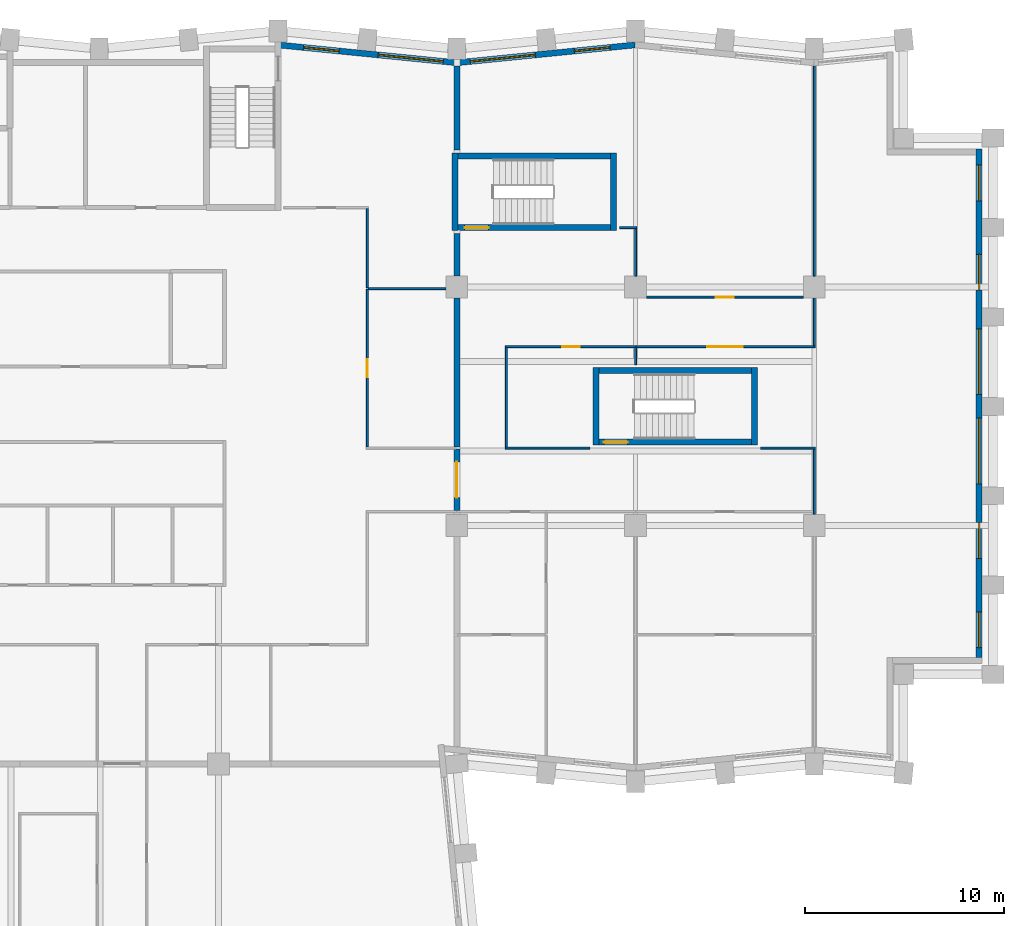
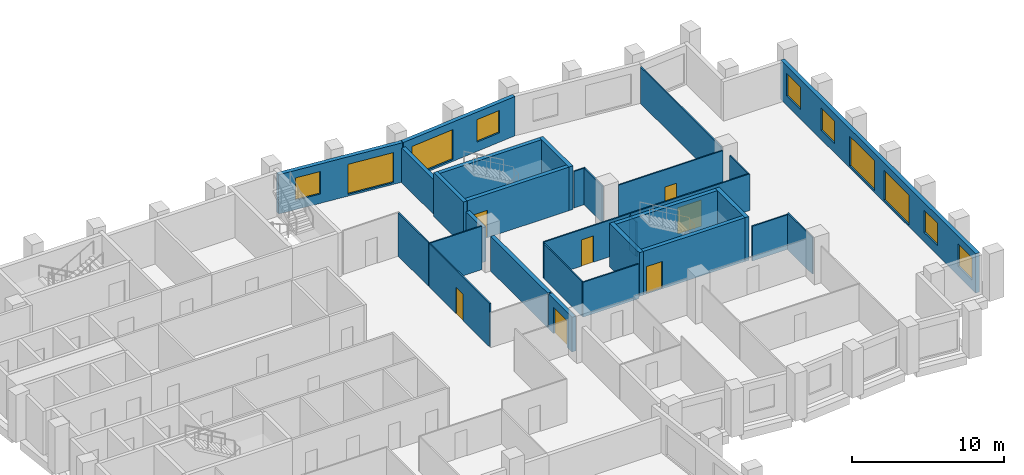
# One storey, part 7 of 10: 30 walls, 10 windows, 7 doors, 17 openings.
"""IFC4 building model written with IfcOpenShell, lengths in metres."""

from ifc_helpers import new_model, si_unit, direction, frame, frame_2d, origin, place, context, subcontext, project, spatial, rectangle, extrude, material, layer, layer_set, type_object, element, fill, save


model = new_model("IFC4")

# Units and contexts
model_context = context("Model", 3, precision=1e-05, world=origin(), true_north=direction((0.0, 1.0)))
body_context = subcontext(model_context, "Body", "Model", "MODEL_VIEW")
ifc_project = project(units=[si_unit("LENGTHUNIT", "METRE"), si_unit("AREAUNIT", "SQUARE_METRE"), si_unit("VOLUMEUNIT", "CUBIC_METRE"), si_unit("PLANEANGLEUNIT", "RADIAN"), si_unit("MASSUNIT", "GRAM", prefix="KILO")], contexts=[model_context])

# Site, building, storey
site_placement = place(None, origin())
site = spatial("IfcSite", under=ifc_project, at=site_placement, CompositionType="ELEMENT")
building_placement = place(site_placement, origin())
building = spatial("IfcBuilding", under=site, at=building_placement, Name="Brondeck Convention Tower", CompositionType="ELEMENT")
storey_placement = place(building_placement, frame((0.0, 0.0, 166.199951171875)))
storey = spatial("IfcBuildingStorey", under=building, at=storey_placement, Name="L40", CompositionType="ELEMENT", Elevation=166.199951171875)

# Wall, opening, door
ifc_material_1 = material(Name="Concrete compartment wall C30/37", Category="concrete")
ifc_layer_1 = layer(ifc_material_1, 0.300048828125)
ifc_layer_set_1 = layer_set([ifc_layer_1], Name="Compartment wall 300")
wall_type_1 = type_object("IfcWallType", Name="Compartment wall 300", PredefinedType="PARTITIONING", material=ifc_layer_set_1)
wall_1_placement = place(storey_placement, frame((36.0, 42.85009765625, 0.0), z_axis=(0.0, 0.0, 1.0), x_axis=(0.0, -1.0, 0.0)))
wall_1 = element("IfcWall", 1, at=wall_1_placement, inside=storey, type_object=wall_type_1, Name="FLR-L40-W052", PredefinedType="PARTITIONING", context=body_context, shape_type="SweptSolid", body=[
    extrude(rectangle(XDim=3.10009765625, YDim=0.300048828125, at=frame_2d((1.550048828125, 0.0))), origin(), (0.0, 0.0, 1.0), 2.780029296875),
])
opening_1_placement = place(wall_1_placement, frame((0.64990234375, 0.0, 0.0)))
opening_1 = element("IfcOpeningElement", 2, at=opening_1_placement, cuts=wall_1, Name="Opening OF-H-021", PredefinedType="OPENING", context=body_context, shape_type="SweptSolid", body=[
    extrude(rectangle(XDim=1.800048828125, YDim=2.10009765625, at=frame_2d((0.89990234375, 1.050048828125))), frame((0.0, 0.159912109375, 0.0), z_axis=(0.0, -1.0, 0.0), x_axis=(1.0, 0.0, 0.0)), (0.0, 0.0, 1.0), 0.320068359375),
])
ifc_material_2 = material(Name="Steel fire door pair", Category="steel")
door_type_1 = type_object("IfcDoorType", Name="Fire door pair 1800", OperationType="DOUBLE_DOOR_SINGLE_SWING", PredefinedType="DOOR", material=ifc_material_2)
door_1_placement = place(opening_1_placement, origin())
door_1 = element("IfcDoor", 3, at=door_1_placement, inside=storey, type_object=door_type_1, Name="Door OF-H-021", OperationType="DOUBLE_DOOR_SINGLE_SWING", OverallHeight=2.10009765625, OverallWidth=1.800048828125, PredefinedType="DOOR", context=body_context, shape_type="SweptSolid", body=[
    extrude(rectangle(XDim=1.800048828125, YDim=2.10009765625, at=frame_2d((0.89990234375, 1.050048828125))), frame((0.0, 0.02490234375, 0.0), z_axis=(0.0, -1.0, 0.0), x_axis=(1.0, 0.0, 0.0)), (0.0, 0.0, 1.0), 0.050048828125),
])
fill(opening_1, door_1)

# Walls
wall_2_placement = place(storey_placement, frame((36.0, 42.949951171875, 0.0), z_axis=(0.0, 0.0, 1.0), x_axis=(0.0, 1.0, 0.0)))
element("IfcWall", 4, at=wall_2_placement, inside=storey, type_object=wall_type_1, Name="FLR-L40-W057", PredefinedType="PARTITIONING", context=body_context, shape_type="SweptSolid", body=[
    extrude(rectangle(XDim=7.4951171875, YDim=0.300048828125, at=frame_2d((3.74755859375, 0.0))), origin(), (0.0, 0.0, 1.0), 2.780029296875),
])
wall_3_placement = place(storey_placement, frame((36.0, 51.554931640625, 0.0), z_axis=(0.0, 0.0, 1.0), x_axis=(0.0, 1.0, 0.0)))
element("IfcWall", 5, at=wall_3_placement, inside=storey, type_object=wall_type_1, Name="FLR-L40-W066", PredefinedType="PARTITIONING", context=body_context, shape_type="SweptSolid", body=[
    extrude(rectangle(XDim=2.14501953125, YDim=0.300048828125, at=frame_2d((1.072509765625, 0.0))), origin(), (0.0, 0.0, 1.0), 2.780029296875),
])
wall_4_placement = place(storey_placement, frame((36.0, 57.89990234375, 0.0), z_axis=(0.0, 0.0, 1.0), x_axis=(0.0, 1.0, 0.0)))
element("IfcWall", 6, at=wall_4_placement, inside=storey, type_object=wall_type_1, Name="FLR-L40-W072", PredefinedType="PARTITIONING", context=body_context, shape_type="SweptSolid", body=[
    extrude(rectangle(XDim=4.22607421875, YDim=0.300048828125, at=frame_2d((2.113037109375, 0.0))), origin(), (0.0, 0.0, 1.0), 2.780029296875),
])

# Wall, openings, windows
ifc_material_3 = material(Name="Precast concrete C50/60 bronze finish", Category="concrete")
ifc_layer_2 = layer(ifc_material_3, 0.070068359375, Name="Bronze precast facing")
ifc_material_4 = material(Name="Mineral wool")
ifc_layer_3 = layer(ifc_material_4, 0.159912109375, Name="Insulation")
ifc_material_5 = material(Name="Concrete C35/45", Category="concrete")
ifc_layer_4 = layer(ifc_material_5, 0.070068359375, Name="Backing")
ifc_layer_set_2 = layer_set([ifc_layer_2, ifc_layer_3, ifc_layer_4], Name="External infill wall, precast concrete C50/60 bronze facing")
wall_type_2 = type_object("IfcWallType", Name="External infill wall, precast concrete C50/60 bronze facing", PredefinedType="SOLIDWALL", material=ifc_layer_set_2)
wall_5_placement = place(storey_placement, frame((62.300048828125, 57.949951171875, 0.0), z_axis=(0.0, 0.0, 1.0), x_axis=(0.0, -1.0, 0.0)))
wall_5 = element("IfcWall", 7, at=wall_5_placement, inside=storey, type_object=wall_type_2, Name="ENV-EW-L40-P1-A-E63-01", PredefinedType="SOLIDWALL", context=body_context, shape_type="SweptSolid", body=[
    extrude(rectangle(XDim=25.60205078125, YDim=0.300048828125, at=frame_2d((12.801025390625, 0.0))), origin(), (0.0, 0.0, 1.0), 3.150146484375),
])
opening_2_placement = place(wall_5_placement, frame((0.800048828125, 0.0, 0.75)))
opening_2 = element("IfcOpeningElement", 8, at=opening_2_placement, cuts=wall_5, Name="Opening W10", PredefinedType="OPENING", context=body_context, shape_type="SweptSolid", body=[
    extrude(rectangle(XDim=1.800048828125, YDim=1.800048828125, at=frame_2d((0.89990234375, 0.89990234375))), frame((0.0, 0.159912109375, 0.0), z_axis=(0.0, -1.0, 0.0), x_axis=(1.0, 0.0, 0.0)), (0.0, 0.0, 1.0), 0.320068359375),
])
opening_3_placement = place(wall_5_placement, frame((5.300048828125, 0.0, 0.75)))
opening_3 = element("IfcOpeningElement", 9, at=opening_3_placement, cuts=wall_5, Name="Opening W10", PredefinedType="OPENING", context=body_context, shape_type="SweptSolid", body=[
    extrude(rectangle(XDim=1.800048828125, YDim=1.800048828125, at=frame_2d((0.89990234375, 0.89990234375))), frame((0.0, 0.159912109375, 0.0), z_axis=(0.0, -1.0, 0.0), x_axis=(1.0, 0.0, 0.0)), (0.0, 0.0, 1.0), 0.320068359375),
])
opening_4_placement = place(wall_5_placement, frame((9.050048828125, 0.0, 0.14990234375)))
opening_4 = element("IfcOpeningElement", 10, at=opening_4_placement, cuts=wall_5, Name="Opening W9", PredefinedType="OPENING", context=body_context, shape_type="SweptSolid", body=[
    extrude(rectangle(XDim=3.300048828125, YDim=2.39990234375, at=frame_2d((1.64990234375, 1.199951171875))), frame((0.0, 0.159912109375, 0.0), z_axis=(0.0, -1.0, 0.0), x_axis=(1.0, 0.0, 0.0)), (0.0, 0.0, 1.0), 0.320068359375),
])
opening_5_placement = place(wall_5_placement, frame((13.550048828125, 0.0, 0.14990234375)))
opening_5 = element("IfcOpeningElement", 11, at=opening_5_placement, cuts=wall_5, Name="Opening W9", PredefinedType="OPENING", context=body_context, shape_type="SweptSolid", body=[
    extrude(rectangle(XDim=3.300048828125, YDim=2.39990234375, at=frame_2d((1.64990234375, 1.199951171875))), frame((0.0, 0.159912109375, 0.0), z_axis=(0.0, -1.0, 0.0), x_axis=(1.0, 0.0, 0.0)), (0.0, 0.0, 1.0), 0.320068359375),
])
opening_6_placement = place(wall_5_placement, frame((18.800048828125, 0.0, 0.75)))
opening_6 = element("IfcOpeningElement", 12, at=opening_6_placement, cuts=wall_5, Name="Opening W10", PredefinedType="OPENING", context=body_context, shape_type="SweptSolid", body=[
    extrude(rectangle(XDim=1.800048828125, YDim=1.800048828125, at=frame_2d((0.89990234375, 0.89990234375))), frame((0.0, 0.159912109375, 0.0), z_axis=(0.0, -1.0, 0.0), x_axis=(1.0, 0.0, 0.0)), (0.0, 0.0, 1.0), 0.320068359375),
])
opening_7_placement = place(wall_5_placement, frame((23.300048828125, 0.0, 0.75)))
opening_7 = element("IfcOpeningElement", 13, at=opening_7_placement, cuts=wall_5, Name="Opening W10", PredefinedType="OPENING", context=body_context, shape_type="SweptSolid", body=[
    extrude(rectangle(XDim=1.800048828125, YDim=1.800048828125, at=frame_2d((0.89990234375, 0.89990234375))), frame((0.0, 0.159912109375, 0.0), z_axis=(0.0, -1.0, 0.0), x_axis=(1.0, 0.0, 0.0)), (0.0, 0.0, 1.0), 0.320068359375),
])
ifc_material_6 = material(Name="Bronze tinted double glazing", Category="glass")
window_type_1 = type_object("IfcWindowType", Name="Glazed flute window, bronze tinted", PartitioningType="SINGLE_PANEL", PredefinedType="WINDOW", material=ifc_material_6)
window_1_placement = place(opening_4_placement, origin())
window_1 = element("IfcWindow", 14, at=window_1_placement, inside=storey, type_object=window_type_1, Name="ENV-WN-L40-P1-A-E63-04", OverallHeight=2.39990234375, OverallWidth=3.300048828125, PartitioningType="SINGLE_PANEL", PredefinedType="WINDOW", context=body_context, shape_type="SweptSolid", body=[
    extrude(rectangle(XDim=3.300048828125, YDim=2.39990234375, at=frame_2d((1.64990234375, 1.199951171875))), frame((0.0, 0.030029296875, 0.0), z_axis=(0.0, -1.0, 0.0), x_axis=(1.0, 0.0, 0.0)), (0.0, 0.0, 1.0), 0.06005859375),
])
fill(opening_4, window_1)
window_2_placement = place(opening_5_placement, origin())
window_2 = element("IfcWindow", 15, at=window_2_placement, inside=storey, type_object=window_type_1, Name="ENV-WN-L40-P1-A-E63-03", OverallHeight=2.39990234375, OverallWidth=3.300048828125, PartitioningType="SINGLE_PANEL", PredefinedType="WINDOW", context=body_context, shape_type="SweptSolid", body=[
    extrude(rectangle(XDim=3.300048828125, YDim=2.39990234375, at=frame_2d((1.64990234375, 1.199951171875))), frame((0.0, 0.030029296875, 0.0), z_axis=(0.0, -1.0, 0.0), x_axis=(1.0, 0.0, 0.0)), (0.0, 0.0, 1.0), 0.06005859375),
])
fill(opening_5, window_2)
window_type_2 = type_object("IfcWindowType", Name="Punched window, bronze tinted", PartitioningType="SINGLE_PANEL", PredefinedType="WINDOW", material=ifc_material_6)
window_3_placement = place(opening_2_placement, origin())
window_3 = element("IfcWindow", 16, at=window_3_placement, inside=storey, type_object=window_type_2, Name="ENV-WN-L40-P1-A-E63-06", OverallHeight=1.800048828125, OverallWidth=1.800048828125, PartitioningType="SINGLE_PANEL", PredefinedType="WINDOW", context=body_context, shape_type="SweptSolid", body=[
    extrude(rectangle(XDim=1.800048828125, YDim=1.800048828125, at=frame_2d((0.89990234375, 0.89990234375))), frame((0.0, 0.030029296875, 0.0), z_axis=(0.0, -1.0, 0.0), x_axis=(1.0, 0.0, 0.0)), (0.0, 0.0, 1.0), 0.06005859375),
])
fill(opening_2, window_3)
window_4_placement = place(opening_3_placement, origin())
window_4 = element("IfcWindow", 17, at=window_4_placement, inside=storey, type_object=window_type_2, Name="ENV-WN-L40-P1-A-E63-05", OverallHeight=1.800048828125, OverallWidth=1.800048828125, PartitioningType="SINGLE_PANEL", PredefinedType="WINDOW", context=body_context, shape_type="SweptSolid", body=[
    extrude(rectangle(XDim=1.800048828125, YDim=1.800048828125, at=frame_2d((0.89990234375, 0.89990234375))), frame((0.0, 0.030029296875, 0.0), z_axis=(0.0, -1.0, 0.0), x_axis=(1.0, 0.0, 0.0)), (0.0, 0.0, 1.0), 0.06005859375),
])
fill(opening_3, window_4)
window_5_placement = place(opening_6_placement, origin())
window_5 = element("IfcWindow", 18, at=window_5_placement, inside=storey, type_object=window_type_2, Name="ENV-WN-L40-P1-A-E63-02", OverallHeight=1.800048828125, OverallWidth=1.800048828125, PartitioningType="SINGLE_PANEL", PredefinedType="WINDOW", context=body_context, shape_type="SweptSolid", body=[
    extrude(rectangle(XDim=1.800048828125, YDim=1.800048828125, at=frame_2d((0.89990234375, 0.89990234375))), frame((0.0, 0.030029296875, 0.0), z_axis=(0.0, -1.0, 0.0), x_axis=(1.0, 0.0, 0.0)), (0.0, 0.0, 1.0), 0.06005859375),
])
fill(opening_6, window_5)
window_6_placement = place(opening_7_placement, origin())
window_6 = element("IfcWindow", 19, at=window_6_placement, inside=storey, type_object=window_type_2, Name="ENV-WN-L40-P1-A-E63-01", OverallHeight=1.800048828125, OverallWidth=1.800048828125, PartitioningType="SINGLE_PANEL", PredefinedType="WINDOW", context=body_context, shape_type="SweptSolid", body=[
    extrude(rectangle(XDim=1.800048828125, YDim=1.800048828125, at=frame_2d((0.89990234375, 0.89990234375))), frame((0.0, 0.030029296875, 0.0), z_axis=(0.0, -1.0, 0.0), x_axis=(1.0, 0.0, 0.0)), (0.0, 0.0, 1.0), 0.06005859375),
])
fill(opening_7, window_6)

wall_6_placement = place(storey_placement, frame((35.985107421875, 62.294921875, 0.0), z_axis=(0.0, 0.0, 1.0), x_axis=(0.995035316196, 0.099522457379, 0.0)))
wall_6 = element("IfcWall", 20, at=wall_6_placement, inside=storey, type_object=wall_type_2, Name="ENV-EW-L40-P1-A-N-09", PredefinedType="SOLIDWALL", context=body_context, shape_type="SweptSolid", body=[
    extrude(rectangle(XDim=9.030029296875, YDim=0.300048828125, at=frame_2d((4.51513671875, 0.0))), origin(), (0.0, 0.0, 1.0), 3.150146484375),
])
opening_8_placement = place(wall_6_placement, frame((0.6962890625, 0.0, 0.14990234375)))
opening_8 = element("IfcOpeningElement", 21, at=opening_8_placement, cuts=wall_6, Name="Opening W9", PredefinedType="OPENING", context=body_context, shape_type="SweptSolid", body=[
    extrude(rectangle(XDim=3.300048828125, YDim=2.39990234375, at=frame_2d((1.64990234375, 1.199951171875))), frame((0.0, 0.159912109375, 0.0), z_axis=(0.0, -1.0, 0.0), x_axis=(1.0, 0.0, 0.0)), (0.0, 0.0, 1.0), 0.320068359375),
])
opening_9_placement = place(wall_6_placement, frame((5.968505859375, 0.0, 0.75)))
opening_9 = element("IfcOpeningElement", 22, at=opening_9_placement, cuts=wall_6, Name="Opening W10", PredefinedType="OPENING", context=body_context, shape_type="SweptSolid", body=[
    extrude(rectangle(XDim=1.800048828125, YDim=1.800048828125, at=frame_2d((0.89990234375, 0.89990234375))), frame((0.0, 0.159912109375, 0.0), z_axis=(0.0, -1.0, 0.0), x_axis=(1.0, 0.0, 0.0)), (0.0, 0.0, 1.0), 0.320068359375),
])
window_7_placement = place(opening_8_placement, origin())
window_7 = element("IfcWindow", 23, at=window_7_placement, inside=storey, type_object=window_type_1, Name="ENV-WN-L40-P1-A-N-08", OverallHeight=2.39990234375, OverallWidth=3.300048828125, PartitioningType="SINGLE_PANEL", PredefinedType="WINDOW", context=body_context, shape_type="SweptSolid", body=[
    extrude(rectangle(XDim=3.300048828125, YDim=2.39990234375, at=frame_2d((1.64990234375, 1.199951171875))), frame((0.0, 0.030029296875, 0.0), z_axis=(0.0, -1.0, 0.0), x_axis=(1.0, 0.0, 0.0)), (0.0, 0.0, 1.0), 0.06005859375),
])
fill(opening_8, window_7)
window_8_placement = place(opening_9_placement, origin())
window_8 = element("IfcWindow", 24, at=window_8_placement, inside=storey, type_object=window_type_2, Name="ENV-WN-L40-P1-A-N-09", OverallHeight=1.800048828125, OverallWidth=1.800048828125, PartitioningType="SINGLE_PANEL", PredefinedType="WINDOW", context=body_context, shape_type="SweptSolid", body=[
    extrude(rectangle(XDim=1.800048828125, YDim=1.800048828125, at=frame_2d((0.89990234375, 0.89990234375))), frame((0.0, 0.030029296875, 0.0), z_axis=(0.0, -1.0, 0.0), x_axis=(1.0, 0.0, 0.0)), (0.0, 0.0, 1.0), 0.06005859375),
])
fill(opening_9, window_8)

wall_7_placement = place(storey_placement, frame((27.07958984375, 63.188720703125, 0.0), z_axis=(0.0, 0.0, 1.0), x_axis=(0.995036108007, -0.099514540459, 0.0)))
wall_7 = element("IfcWall", 25, at=wall_7_placement, inside=storey, type_object=wall_type_2, Name="ENV-EW-L40-P1-A-N-07", PredefinedType="SOLIDWALL", context=body_context, shape_type="SweptSolid", body=[
    extrude(rectangle(XDim=8.93505859375, YDim=0.300048828125, at=frame_2d((4.467529296875, 0.0))), origin(), (0.0, 0.0, 1.0), 3.150146484375),
])
opening_10_placement = place(wall_7_placement, frame((1.211181640625, 0.0, 0.75)))
opening_10 = element("IfcOpeningElement", 26, at=opening_10_placement, cuts=wall_7, Name="Opening W10", PredefinedType="OPENING", context=body_context, shape_type="SweptSolid", body=[
    extrude(rectangle(XDim=1.800048828125, YDim=1.800048828125, at=frame_2d((0.89990234375, 0.89990234375))), frame((0.0, 0.159912109375, 0.0), z_axis=(0.0, -1.0, 0.0), x_axis=(1.0, 0.0, 0.0)), (0.0, 0.0, 1.0), 0.320068359375),
])
opening_11_placement = place(wall_7_placement, frame((4.983642578125, 0.0, 0.14990234375)))
opening_11 = element("IfcOpeningElement", 27, at=opening_11_placement, cuts=wall_7, Name="Opening W9", PredefinedType="OPENING", context=body_context, shape_type="SweptSolid", body=[
    extrude(rectangle(XDim=3.300048828125, YDim=2.39990234375, at=frame_2d((1.64990234375, 1.199951171875))), frame((0.0, 0.159912109375, 0.0), z_axis=(0.0, -1.0, 0.0), x_axis=(1.0, 0.0, 0.0)), (0.0, 0.0, 1.0), 0.320068359375),
])
window_9_placement = place(opening_11_placement, origin())
window_9 = element("IfcWindow", 28, at=window_9_placement, inside=storey, type_object=window_type_1, Name="ENV-WN-L40-P1-A-N-07", OverallHeight=2.39990234375, OverallWidth=3.300048828125, PartitioningType="SINGLE_PANEL", PredefinedType="WINDOW", context=body_context, shape_type="SweptSolid", body=[
    extrude(rectangle(XDim=3.300048828125, YDim=2.39990234375, at=frame_2d((1.64990234375, 1.199951171875))), frame((0.0, 0.030029296875, 0.0), z_axis=(0.0, -1.0, 0.0), x_axis=(1.0, 0.0, 0.0)), (0.0, 0.0, 1.0), 0.06005859375),
])
fill(opening_11, window_9)
window_10_placement = place(opening_10_placement, origin())
window_10 = element("IfcWindow", 29, at=window_10_placement, inside=storey, type_object=window_type_2, Name="ENV-WN-L40-P1-A-N-06", OverallHeight=1.800048828125, OverallWidth=1.800048828125, PartitioningType="SINGLE_PANEL", PredefinedType="WINDOW", context=body_context, shape_type="SweptSolid", body=[
    extrude(rectangle(XDim=1.800048828125, YDim=1.800048828125, at=frame_2d((0.89990234375, 0.89990234375))), frame((0.0, 0.030029296875, 0.0), z_axis=(0.0, -1.0, 0.0), x_axis=(1.0, 0.0, 0.0)), (0.0, 0.0, 1.0), 0.06005859375),
])
fill(opening_10, window_10)

# Walls
ifc_material_7 = material(Name="Gypsum board partition on steel studs", Category="steel")
ifc_layer_5 = layer(ifc_material_7, 0.10009765625)
ifc_layer_set_3 = layer_set([ifc_layer_5], Name="Room partition 100")
wall_type_3 = type_object("IfcWallType", Name="Room partition 100", PredefinedType="PARTITIONING", material=ifc_layer_set_3)
wall_8_placement = place(storey_placement, frame((54.0, 42.85009765625, 0.0), z_axis=(0.0, 0.0, 1.0), x_axis=(0.0, -1.0, 0.0)))
element("IfcWall", 30, at=wall_8_placement, inside=storey, type_object=wall_type_3, Name="FLR-L40-W053", PredefinedType="PARTITIONING", context=body_context, shape_type="SweptSolid", body=[
    extrude(rectangle(XDim=3.280029296875, YDim=0.10009765625, at=frame_2d((1.64013671875, 0.0))), origin(), (0.0, 0.0, 1.0), 2.929931640625),
])
wall_9_placement = place(storey_placement, frame((38.449951171875, 42.89990234375, 0.0), z_axis=(0.0, 0.0, 1.0), x_axis=(1.0, 0.0, 0.0)))
element("IfcWall", 31, at=wall_9_placement, inside=storey, type_object=wall_type_3, Name="FLR-L40-W055", PredefinedType="PARTITIONING", context=body_context, shape_type="SweptSolid", body=[
    extrude(rectangle(XDim=4.25, YDim=0.10009765625, at=frame_2d((2.125, 0.0))), origin(), (0.0, 0.0, 1.0), 2.780029296875),
])
wall_10_placement = place(storey_placement, frame((51.300048828125, 42.89990234375, 0.0), z_axis=(0.0, 0.0, 1.0), x_axis=(1.0, 0.0, 0.0)))
element("IfcWall", 32, at=wall_10_placement, inside=storey, type_object=wall_type_3, Name="FLR-L40-W056", PredefinedType="PARTITIONING", context=body_context, shape_type="SweptSolid", body=[
    extrude(rectangle(XDim=2.75, YDim=0.10009765625, at=frame_2d((1.375, 0.0))), origin(), (0.0, 0.0, 1.0), 2.780029296875),
])
wall_11_placement = place(storey_placement, frame((38.5, 47.949951171875, 0.0), z_axis=(0.0, 0.0, 1.0), x_axis=(0.0, -1.0, 0.0)))
element("IfcWall", 33, at=wall_11_placement, inside=storey, type_object=wall_type_3, Name="FLR-L40-W058", PredefinedType="PARTITIONING", context=body_context, shape_type="SweptSolid", body=[
    extrude(rectangle(XDim=5.0, YDim=0.10009765625, at=frame_2d((2.5, 0.0))), origin(), (0.0, 0.0, 1.0), 2.780029296875),
])
wall_12_placement = place(storey_placement, frame((45.0, 47.949951171875, 0.0), z_axis=(0.0, 0.0, 1.0), x_axis=(0.0, -1.0, 0.0)))
element("IfcWall", 34, at=wall_12_placement, inside=storey, type_object=wall_type_3, Name="FLR-L40-W059", PredefinedType="PARTITIONING", context=body_context, shape_type="SweptSolid", body=[
    extrude(rectangle(XDim=0.849853515625, YDim=0.10009765625, at=frame_2d((0.4248046875, 0.0))), origin(), (0.0, 0.0, 1.0), 2.780029296875),
])

# Wall, opening, door
wall_13_placement = place(storey_placement, frame((45.0, 48.0, 0.0), z_axis=(0.0, 0.0, 1.0), x_axis=(-1.0, 0.0, 0.0)))
wall_13 = element("IfcWall", 35, at=wall_13_placement, inside=storey, type_object=wall_type_3, Name="FLR-L40-W060", PredefinedType="PARTITIONING", context=body_context, shape_type="SweptSolid", body=[
    extrude(rectangle(XDim=6.550048828125, YDim=0.10009765625, at=frame_2d((3.27490234375, 0.0))), origin(), (0.0, 0.0, 1.0), 2.929931640625),
])
opening_12_placement = place(wall_13_placement, frame((2.800048828125, 0.0, 0.0)))
opening_12 = element("IfcOpeningElement", 36, at=opening_12_placement, cuts=wall_13, Name="Opening OF-H-002", PredefinedType="OPENING", context=body_context, shape_type="SweptSolid", body=[
    extrude(rectangle(XDim=0.89990234375, YDim=2.10009765625, at=frame_2d((0.449951171875, 1.050048828125))), frame((0.0, 0.06005859375, 0.0), z_axis=(0.0, -1.0, 0.0), x_axis=(1.0, 0.0, 0.0)), (0.0, 0.0, 1.0), 0.1201171875),
])
ifc_material_8 = material(Name="Solid timber door leaf", Category="wood")
door_type_2 = type_object("IfcDoorType", Name="Single door 900", OperationType="NOTDEFINED", PredefinedType="DOOR", material=ifc_material_8)
door_2_placement = place(opening_12_placement, origin())
door_2 = element("IfcDoor", 37, at=door_2_placement, inside=storey, type_object=door_type_2, Name="Door OF-H-002", OperationType="SINGLE_SWING_RIGHT", OverallHeight=2.10009765625, OverallWidth=0.89990234375, PredefinedType="DOOR", context=body_context, shape_type="SweptSolid", body=[
    extrude(rectangle(XDim=0.89990234375, YDim=2.10009765625, at=frame_2d((0.449951171875, 1.050048828125))), frame((0.0, 0.02490234375, 0.0), z_axis=(0.0, -1.0, 0.0), x_axis=(1.0, 0.0, 0.0)), (0.0, 0.0, 1.0), 0.050048828125),
])
fill(opening_12, door_2)

wall_14_placement = place(storey_placement, frame((54.050048828125, 48.0, 0.0), z_axis=(0.0, 0.0, 1.0), x_axis=(-1.0, 0.0, 0.0)))
wall_14 = element("IfcWall", 38, at=wall_14_placement, inside=storey, type_object=wall_type_3, Name="FLR-L40-W061", PredefinedType="PARTITIONING", context=body_context, shape_type="SweptSolid", body=[
    extrude(rectangle(XDim=9.050048828125, YDim=0.10009765625, at=frame_2d((4.52490234375, 0.0))), origin(), (0.0, 0.0, 1.0), 2.929931640625),
])
opening_13_placement = place(wall_14_placement, frame((3.64990234375, 0.0, 0.0)))
opening_13 = element("IfcOpeningElement", 39, at=opening_13_placement, cuts=wall_14, Name="Opening OF-H-005", PredefinedType="OPENING", context=body_context, shape_type="SweptSolid", body=[
    extrude(rectangle(XDim=1.800048828125, YDim=2.10009765625, at=frame_2d((0.89990234375, 1.050048828125))), frame((0.0, 0.06005859375, 0.0), z_axis=(0.0, -1.0, 0.0), x_axis=(1.0, 0.0, 0.0)), (0.0, 0.0, 1.0), 0.1201171875),
])
ifc_material_9 = material(Name="Glazed timber double door", Category="wood")
door_type_3 = type_object("IfcDoorType", Name="Double door 1800", OperationType="DOUBLE_DOOR_SINGLE_SWING", PredefinedType="DOOR", material=ifc_material_9)
door_3_placement = place(opening_13_placement, origin())
door_3 = element("IfcDoor", 40, at=door_3_placement, inside=storey, type_object=door_type_3, Name="Door OF-H-005", OperationType="DOUBLE_DOOR_SINGLE_SWING", OverallHeight=2.10009765625, OverallWidth=1.800048828125, PredefinedType="DOOR", context=body_context, shape_type="SweptSolid", body=[
    extrude(rectangle(XDim=1.800048828125, YDim=2.10009765625, at=frame_2d((0.89990234375, 1.050048828125))), frame((0.0, 0.02490234375, 0.0), z_axis=(0.0, -1.0, 0.0), x_axis=(1.0, 0.0, 0.0)), (0.0, 0.0, 1.0), 0.050048828125),
])
fill(opening_13, door_3)

# Wall
wall_15_placement = place(storey_placement, frame((54.0, 50.445068359375, 0.0), z_axis=(0.0, 0.0, 1.0), x_axis=(0.0, -1.0, 0.0)))
element("IfcWall", 41, at=wall_15_placement, inside=storey, type_object=wall_type_3, Name="FLR-L40-W062", PredefinedType="PARTITIONING", context=body_context, shape_type="SweptSolid", body=[
    extrude(rectangle(XDim=2.39501953125, YDim=0.10009765625, at=frame_2d((1.197509765625, 0.0))), origin(), (0.0, 0.0, 1.0), 2.929931640625),
])

# Wall, opening, door
wall_16_placement = place(storey_placement, frame((45.554931640625, 50.5, 0.0), z_axis=(0.0, 0.0, 1.0), x_axis=(1.0, 0.0, 0.0)))
wall_16 = element("IfcWall", 42, at=wall_16_placement, inside=storey, type_object=wall_type_3, Name="FLR-L40-W063", PredefinedType="PARTITIONING", context=body_context, shape_type="SweptSolid", body=[
    extrude(rectangle(XDim=7.89013671875, YDim=0.10009765625, at=frame_2d((3.945068359375, 0.0))), origin(), (0.0, 0.0, 1.0), 3.47998046875),
])
opening_14_placement = place(wall_16_placement, frame((3.4951171875, 0.0, 0.0)))
opening_14 = element("IfcOpeningElement", 43, at=opening_14_placement, cuts=wall_16, Name="Opening OF-H-011", PredefinedType="OPENING", context=body_context, shape_type="SweptSolid", body=[
    extrude(rectangle(XDim=0.89990234375, YDim=2.10009765625, at=frame_2d((0.449951171875, 1.050048828125))), frame((0.0, 0.06005859375, 0.0), z_axis=(0.0, -1.0, 0.0), x_axis=(1.0, 0.0, 0.0)), (0.0, 0.0, 1.0), 0.1201171875),
])
door_4_placement = place(opening_14_placement, origin())
door_4 = element("IfcDoor", 44, at=door_4_placement, inside=storey, type_object=door_type_2, Name="Door OF-H-011", OperationType="SINGLE_SWING_LEFT", OverallHeight=2.10009765625, OverallWidth=0.89990234375, PredefinedType="DOOR", context=body_context, shape_type="SweptSolid", body=[
    extrude(rectangle(XDim=0.89990234375, YDim=2.10009765625, at=frame_2d((0.449951171875, 1.050048828125))), frame((0.0, 0.02490234375, 0.0), z_axis=(0.0, -1.0, 0.0), x_axis=(1.0, 0.0, 0.0)), (0.0, 0.0, 1.0), 0.050048828125),
])
fill(opening_14, door_4)

wall_17_placement = place(storey_placement, frame((31.5, 50.882080078125, 0.0), z_axis=(0.0, 0.0, 1.0), x_axis=(0.0, -1.0, 0.0)))
wall_17 = element("IfcWall", 45, at=wall_17_placement, inside=storey, type_object=wall_type_3, Name="FLR-L40-W064", PredefinedType="PARTITIONING", context=body_context, shape_type="SweptSolid", body=[
    extrude(rectangle(XDim=7.93212890625, YDim=0.10009765625, at=frame_2d((3.966064453125, 0.0))), origin(), (0.0, 0.0, 1.0), 3.47998046875),
])
opening_15_placement = place(wall_17_placement, frame((3.51611328125, 0.0, 0.0)))
opening_15 = element("IfcOpeningElement", 46, at=opening_15_placement, cuts=wall_17, Name="Opening OF-H-019", PredefinedType="OPENING", context=body_context, shape_type="SweptSolid", body=[
    extrude(rectangle(XDim=0.89990234375, YDim=2.10009765625, at=frame_2d((0.449951171875, 1.050048828125))), frame((0.0, 0.06005859375, 0.0), z_axis=(0.0, -1.0, 0.0), x_axis=(1.0, 0.0, 0.0)), (0.0, 0.0, 1.0), 0.1201171875),
])
door_5_placement = place(opening_15_placement, origin())
door_5 = element("IfcDoor", 47, at=door_5_placement, inside=storey, type_object=door_type_2, Name="Door OF-H-019", OperationType="SINGLE_SWING_LEFT", OverallHeight=2.10009765625, OverallWidth=0.89990234375, PredefinedType="DOOR", context=body_context, shape_type="SweptSolid", body=[
    extrude(rectangle(XDim=0.89990234375, YDim=2.10009765625, at=frame_2d((0.449951171875, 1.050048828125))), frame((0.0, 0.02490234375, 0.0), z_axis=(0.0, -1.0, 0.0), x_axis=(1.0, 0.0, 0.0)), (0.0, 0.0, 1.0), 0.050048828125),
])
fill(opening_15, door_5)

# Walls
wall_18_placement = place(storey_placement, frame((31.550048828125, 50.931884765625, 0.0), z_axis=(0.0, 0.0, 1.0), x_axis=(1.0, 0.0, 0.0)))
element("IfcWall", 48, at=wall_18_placement, inside=storey, type_object=wall_type_3, Name="FLR-L40-W065", PredefinedType="PARTITIONING", context=body_context, shape_type="SweptSolid", body=[
    extrude(rectangle(XDim=3.89501953125, YDim=0.10009765625, at=frame_2d((1.947509765625, 0.0))), origin(), (0.0, 0.0, 1.0), 3.47998046875),
])
wall_19_placement = place(storey_placement, frame((54.0, 51.554931640625, 0.0), z_axis=(0.0, 0.0, 1.0), x_axis=(0.0, 1.0, 0.0)))
element("IfcWall", 49, at=wall_19_placement, inside=storey, type_object=wall_type_3, Name="FLR-L40-W067", PredefinedType="PARTITIONING", context=body_context, shape_type="SweptSolid", body=[
    extrude(rectangle(XDim=10.57080078125, YDim=0.10009765625, at=frame_2d((5.285400390625, 0.0))), origin(), (0.0, 0.0, 1.0), 2.929931640625),
])
wall_20_placement = place(storey_placement, frame((45.0, 53.949951171875, 0.0), z_axis=(0.0, 0.0, 1.0), x_axis=(0.0, -1.0, 0.0)))
element("IfcWall", 50, at=wall_20_placement, inside=storey, type_object=wall_type_3, Name="FLR-L40-W068", PredefinedType="PARTITIONING", context=body_context, shape_type="SweptSolid", body=[
    extrude(rectangle(XDim=2.39501953125, YDim=0.10009765625, at=frame_2d((1.197509765625, 0.0))), origin(), (0.0, 0.0, 1.0), 2.929931640625),
])
wall_21_placement = place(storey_placement, frame((44.199951171875, 54.0, 0.0), z_axis=(0.0, 0.0, 1.0), x_axis=(1.0, 0.0, 0.0)))
element("IfcWall", 51, at=wall_21_placement, inside=storey, type_object=wall_type_3, Name="FLR-L40-W069", PredefinedType="PARTITIONING", context=body_context, shape_type="SweptSolid", body=[
    extrude(rectangle(XDim=0.85009765625, YDim=0.10009765625, at=frame_2d((0.425048828125, 0.0))), origin(), (0.0, 0.0, 1.0), 2.929931640625),
])
wall_22_placement = place(storey_placement, frame((31.5, 54.949951171875, 0.0), z_axis=(0.0, 0.0, 1.0), x_axis=(0.0, -1.0, 0.0)))
element("IfcWall", 52, at=wall_22_placement, inside=storey, type_object=wall_type_3, Name="FLR-L40-W070", PredefinedType="PARTITIONING", context=body_context, shape_type="SweptSolid", body=[
    extrude(rectangle(XDim=3.968017578125, YDim=0.10009765625, at=frame_2d((1.98388671875, 0.0))), origin(), (0.0, 0.0, 1.0), 3.47998046875),
])

# Wall, opening, door
ifc_material_10 = material(Name="Concrete C70/85", Category="concrete")
ifc_layer_6 = layer(ifc_material_10, 0.300048828125)
ifc_layer_set_4 = layer_set([ifc_layer_6], Name="Stair enclosure wall 300 Concrete C70/85")
wall_type_4 = type_object("IfcWallType", Name="Stair enclosure wall 300 Concrete C70/85", PredefinedType="SHEAR", material=ifc_layer_set_4)
wall_23_placement = place(storey_placement, frame((43.14990234375, 43.199951171875, 0.0), z_axis=(0.0, 0.0, 1.0), x_axis=(1.0, 0.0, 0.0)))
wall_23 = element("IfcWall", 53, at=wall_23_placement, inside=storey, type_object=wall_type_4, Name="L40 core wall", PredefinedType="SHEAR", context=body_context, shape_type="SweptSolid", body=[
    extrude(rectangle(XDim=7.7001953125, YDim=0.300048828125, at=frame_2d((3.85009765625, 0.0))), origin(), (0.0, 0.0, 1.0), 3.5),
])
opening_16_placement = place(wall_23_placement, frame((0.25, 0.0, 0.0)))
opening_16 = element("IfcOpeningElement", 54, at=opening_16_placement, cuts=wall_23, Name="Opening C23-18", PredefinedType="OPENING", context=body_context, shape_type="SweptSolid", body=[
    extrude(rectangle(XDim=1.199951171875, YDim=2.199951171875, at=frame_2d((0.60009765625, 1.10009765625))), frame((0.0, 0.159912109375, 0.0), z_axis=(0.0, -1.0, 0.0), x_axis=(1.0, 0.0, 0.0)), (0.0, 0.0, 1.0), 0.320068359375),
])
ifc_material_11 = material(Name="Steel fire door", Category="steel")
door_type_4 = type_object("IfcDoorType", Name="Stair door 1200x2200 EI 90", OperationType="NOTDEFINED", PredefinedType="DOOR", material=ifc_material_11)
door_6_placement = place(opening_16_placement, origin())
door_6 = element("IfcDoor", 55, at=door_6_placement, inside=storey, type_object=door_type_4, Name="L40 Stair door ST-AF", OperationType="SINGLE_SWING_RIGHT", OverallHeight=2.199951171875, OverallWidth=1.199951171875, PredefinedType="DOOR", context=body_context, shape_type="SweptSolid", body=[
    extrude(rectangle(XDim=1.199951171875, YDim=2.199951171875, at=frame_2d((0.60009765625, 1.10009765625))), frame((0.0, 0.02490234375, 0.0), z_axis=(0.0, -1.0, 0.0), x_axis=(1.0, 0.0, 0.0)), (0.0, 0.0, 1.0), 0.050048828125),
])
fill(opening_16, door_6)

# Wall
wall_24_placement = place(storey_placement, frame((43.14990234375, 46.800048828125, 0.0), z_axis=(0.0, 0.0, 1.0), x_axis=(1.0, 0.0, 0.0)))
element("IfcWall", 56, at=wall_24_placement, inside=storey, type_object=wall_type_4, Name="L40 core wall", PredefinedType="SHEAR", context=body_context, shape_type="SweptSolid", body=[
    extrude(rectangle(XDim=7.7001953125, YDim=0.300048828125, at=frame_2d((3.85009765625, 0.0))), origin(), (0.0, 0.0, 1.0), 3.5),
])

# Wall, opening, door
wall_25_placement = place(storey_placement, frame((36.050048828125, 54.0, 0.0), z_axis=(0.0, 0.0, 1.0), x_axis=(1.0, 0.0, 0.0)))
wall_25 = element("IfcWall", 57, at=wall_25_placement, inside=storey, type_object=wall_type_4, Name="L40 core wall", PredefinedType="SHEAR", context=body_context, shape_type="SweptSolid", body=[
    extrude(rectangle(XDim=7.699951171875, YDim=0.300048828125, at=frame_2d((3.85009765625, 0.0))), origin(), (0.0, 0.0, 1.0), 3.5),
])
opening_17_placement = place(wall_25_placement, frame((0.35009765625, 0.0, 0.0)))
opening_17 = element("IfcOpeningElement", 58, at=opening_17_placement, cuts=wall_25, Name="Opening C23-17", PredefinedType="OPENING", context=body_context, shape_type="SweptSolid", body=[
    extrude(rectangle(XDim=1.199951171875, YDim=2.199951171875, at=frame_2d((0.60009765625, 1.10009765625))), frame((0.0, 0.159912109375, 0.0), z_axis=(0.0, -1.0, 0.0), x_axis=(1.0, 0.0, 0.0)), (0.0, 0.0, 1.0), 0.320068359375),
])
door_7_placement = place(opening_17_placement, origin())
door_7 = element("IfcDoor", 59, at=door_7_placement, inside=storey, type_object=door_type_4, Name="L40 Stair door ST-AE", OperationType="SINGLE_SWING_LEFT", OverallHeight=2.199951171875, OverallWidth=1.199951171875, PredefinedType="DOOR", context=body_context, shape_type="SweptSolid", body=[
    extrude(rectangle(XDim=1.199951171875, YDim=2.199951171875, at=frame_2d((0.60009765625, 1.10009765625))), frame((0.0, 0.02490234375, 0.0), z_axis=(0.0, -1.0, 0.0), x_axis=(1.0, 0.0, 0.0)), (0.0, 0.0, 1.0), 0.050048828125),
])
fill(opening_17, door_7)

# Walls
wall_26_placement = place(storey_placement, frame((36.050048828125, 57.60009765625, 0.0), z_axis=(0.0, 0.0, 1.0), x_axis=(1.0, 0.0, 0.0)))
element("IfcWall", 60, at=wall_26_placement, inside=storey, type_object=wall_type_4, Name="L40 core wall", PredefinedType="SHEAR", context=body_context, shape_type="SweptSolid", body=[
    extrude(rectangle(XDim=7.699951171875, YDim=0.300048828125, at=frame_2d((3.85009765625, 0.0))), origin(), (0.0, 0.0, 1.0), 3.5),
])
for number, where, z_axis, x_axis, name in (
    (61, (35.89990234375, 53.85009765625, 0.0), (0.0, 0.0, 1.0), (0.0, 1.0, 0.0), "L40 core wall"),
    (62, (43.0, 43.050048828125, 0.0), (0.0, 0.0, 1.0), (0.0, 1.0, 0.0), "L40 core wall"),
    (63, (43.89990234375, 53.85009765625, 0.0), (0.0, 0.0, 1.0), (0.0, 1.0, 0.0), "L40 core wall"),
    (64, (51.0, 43.050048828125, 0.0), (0.0, 0.0, 1.0), (0.0, 1.0, 0.0), "L40 core wall"),
):
    element("IfcWall", number, at=place(storey_placement, frame(where, z_axis=z_axis, x_axis=x_axis)), inside=storey, type_object=wall_type_4, Name=name, PredefinedType="SHEAR", context=body_context, shape_type="SweptSolid", body=[
        extrude(rectangle(XDim=3.89990234375, YDim=0.300048828125, at=frame_2d((1.949951171875, 0.0))), origin(), (0.0, 0.0, 1.0), 3.5),
    ])

save(model, "model.ifc")
